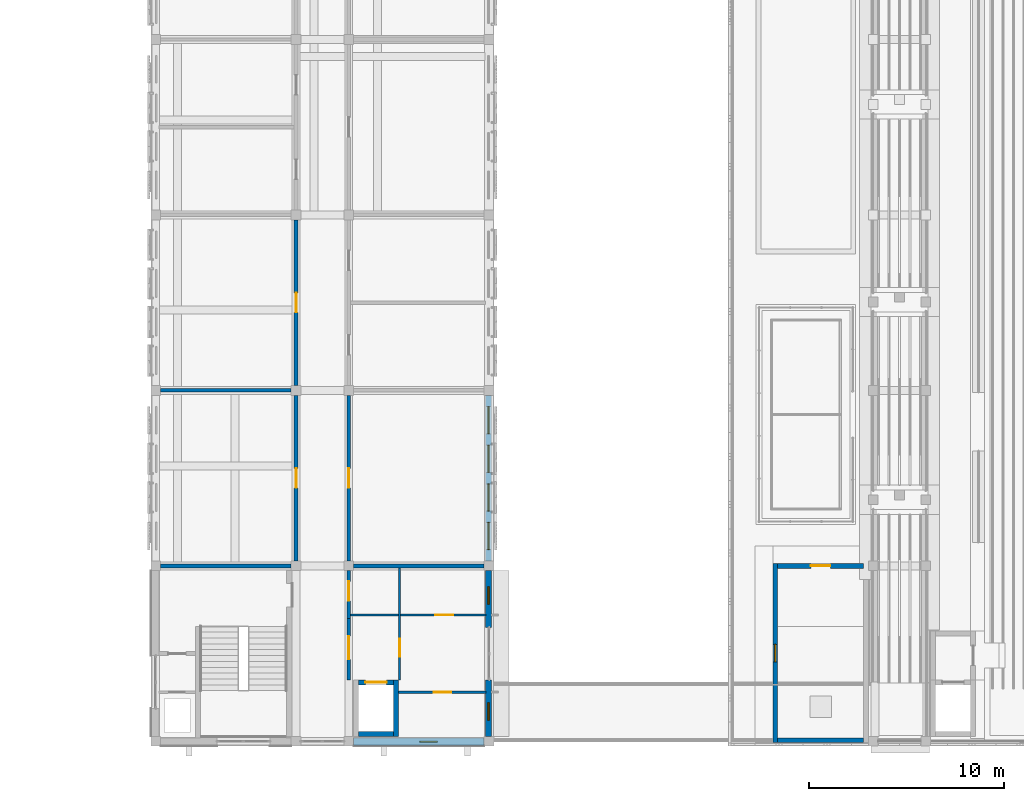
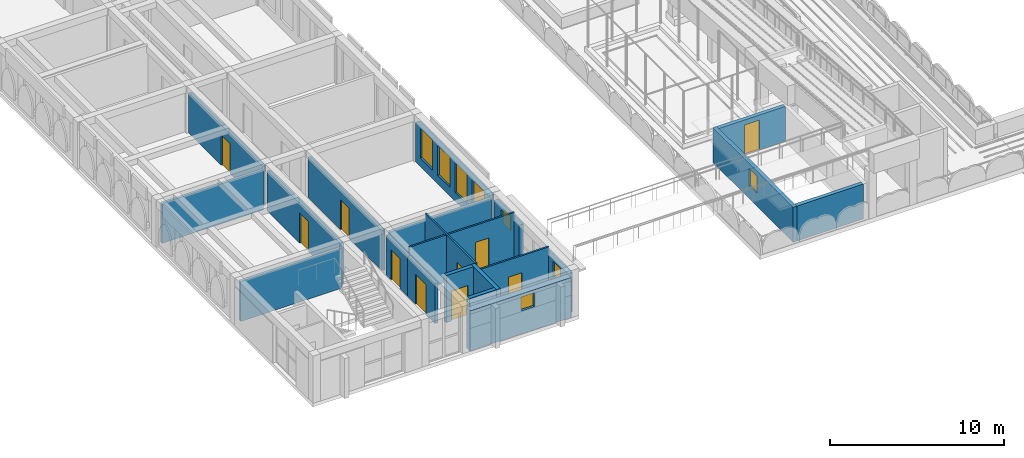
# One storey, part 30 of 50: 21 walls, 10 doors, 8 windows, 18 openings.
"""IFC4 building model written with IfcOpenShell, lengths in metres."""

from ifc_helpers import new_model, si_unit, direction, frame, frame_2d, origin, place, context, subcontext, project, spatial, rectangle, extrude, material, layer, layer_set, type_object, element, fill, save


model = new_model("IFC4")

# Units and contexts
model_context = context("Model", 3, precision=1e-05, world=origin(), true_north=direction((0.0, 1.0)))
body_context = subcontext(model_context, "Body", "Model", "MODEL_VIEW")
ifc_project = project(units=[si_unit("LENGTHUNIT", "METRE"), si_unit("AREAUNIT", "SQUARE_METRE"), si_unit("VOLUMEUNIT", "CUBIC_METRE"), si_unit("PLANEANGLEUNIT", "RADIAN"), si_unit("MASSUNIT", "GRAM", prefix="KILO")], contexts=[model_context])

# Site, building, storey
site_placement = place(None, origin())
site = spatial("IfcSite", under=ifc_project, at=site_placement, CompositionType="ELEMENT")
building_placement = place(site_placement, origin())
building = spatial("IfcBuilding", under=site, at=building_placement, Name="Elbe Cascade School", CompositionType="ELEMENT")
storey_placement = place(building_placement, frame((0.0, 0.0, 15.300048828125)))
storey = spatial("IfcBuildingStorey", under=building, at=storey_placement, Name="L04", CompositionType="ELEMENT", Elevation=15.300048828125)

# Wall
ifc_material_1 = material(Name="Masonry - lime-sand block, plastered", Category="masonry")
ifc_layer_1 = layer(ifc_material_1, 0.175048828125)
ifc_layer_set_1 = layer_set([ifc_layer_1], Name="Masonry - lime-sand block, plastered")
wall_type_1 = type_object("IfcWallType", Name="Bar classroom partition wall lime-sand block 175", PredefinedType="PARTITIONING", material=ifc_layer_set_1)
wall_1_placement = place(storey_placement, frame((69.25, 24.0, 0.0), z_axis=(0.0, 0.0, 1.0), x_axis=(1.0, 0.0, 0.0)))
element("IfcWall", 1, at=wall_1_placement, inside=storey, type_object=wall_type_1, Name="Bar classroom partition wall lime-sand block 175", PredefinedType="PARTITIONING", context=body_context, shape_type="SweptSolid", body=[
    extrude(rectangle(XDim=6.699951171875, YDim=0.175048828125, at=frame_2d((3.35009765625, 0.0))), origin(), (0.0, 0.0, 1.0), 2.800048828125),
])

# Wall, opening, door
ifc_material_2 = material(Name="Masonry - lime-sand block, plastered", Category="masonry")
ifc_layer_2 = layer(ifc_material_2, 0.199951171875)
ifc_layer_set_2 = layer_set([ifc_layer_2], Name="Masonry - lime-sand block, plastered")
wall_type_2 = type_object("IfcWallType", Name="Bar corridor wall lime-sand block 200 EI 30", PredefinedType="PARTITIONING", material=ifc_layer_set_2)
wall_2_placement = place(storey_placement, frame((78.89990234375, 12.300048828125, 0.0), z_axis=(0.0, 0.0, 1.0), x_axis=(0.0, -1.0, 0.0)))
wall_2 = element("IfcWall", 2, at=wall_2_placement, inside=storey, type_object=wall_type_2, Name="Bar corridor wall lime-sand block 200 EI 30", PredefinedType="PARTITIONING", context=body_context, shape_type="SweptSolid", body=[
    extrude(rectangle(XDim=3.150146484375, YDim=0.199951171875, at=frame_2d((1.5751953125, 0.0))), origin(), (0.0, 0.0, 1.0), 2.800048828125),
])
opening_1_placement = place(wall_2_placement, frame((0.89990234375, 0.0, 0.0)))
opening_1 = element("IfcOpeningElement", 3, at=opening_1_placement, cuts=wall_2, Name="Opening D4.005", PredefinedType="OPENING", context=body_context, shape_type="SweptSolid", body=[
    extrude(rectangle(XDim=1.199951171875, YDim=2.10009765625, at=frame_2d((0.60009765625, 1.050048828125))), frame((0.0, 0.10986328125, 0.0), z_axis=(0.0, -1.0, 0.0), x_axis=(1.0, 0.0, 0.0)), (0.0, 0.0, 1.0), 0.219970703125),
])
ifc_material_3 = material(Name="Timber door leaf, fire-resisting and smoke-tight, steel frame", Category="steel")
door_type_1 = type_object("IfcDoorType", Name="Bar door FD30S 1200x2100", OperationType="NOTDEFINED", PredefinedType="DOOR", material=ifc_material_3)
door_1_placement = place(opening_1_placement, origin())
door_1 = element("IfcDoor", 4, at=door_1_placement, inside=storey, type_object=door_type_1, Name="Door A4.06", OperationType="SINGLE_SWING_LEFT", OverallHeight=2.10009765625, OverallWidth=1.199951171875, PredefinedType="DOOR", context=body_context, shape_type="SweptSolid", body=[
    extrude(rectangle(XDim=1.199951171875, YDim=2.10009765625, at=frame_2d((0.60009765625, 1.050048828125))), frame((0.0, 0.02490234375, 0.0), z_axis=(0.0, -1.0, 0.0), x_axis=(1.0, 0.0, 0.0)), (0.0, 0.0, 1.0), 0.050048828125),
])
fill(opening_1, door_1)

wall_3_placement = place(storey_placement, frame((78.89990234375, 12.300048828125, 0.0), z_axis=(0.0, 0.0, 1.0), x_axis=(0.0, 1.0, 0.0)))
wall_3 = element("IfcWall", 5, at=wall_3_placement, inside=storey, type_object=wall_type_2, Name="Bar corridor wall lime-sand block 200 EI 30", PredefinedType="PARTITIONING", context=body_context, shape_type="SweptSolid", body=[
    extrude(rectangle(XDim=2.449951171875, YDim=0.199951171875, at=frame_2d((1.22509765625, 0.0))), origin(), (0.0, 0.0, 1.0), 2.800048828125),
])
opening_2_placement = place(wall_3_placement, frame((0.89990234375, 0.0, 0.0)))
opening_2 = element("IfcOpeningElement", 6, at=opening_2_placement, cuts=wall_3, Name="Opening D4.009", PredefinedType="OPENING", context=body_context, shape_type="SweptSolid", body=[
    extrude(rectangle(XDim=1.0, YDim=2.10009765625, at=frame_2d((0.5, 1.050048828125))), frame((0.0, 0.10986328125, 0.0), z_axis=(0.0, -1.0, 0.0), x_axis=(1.0, 0.0, 0.0)), (0.0, 0.0, 1.0), 0.219970703125),
])
ifc_material_4 = material(Name="Timber door leaf, fire-resisting, steel frame", Category="steel")
door_type_2 = type_object("IfcDoorType", Name="Bar door FD30 1000x2100", OperationType="NOTDEFINED", PredefinedType="DOOR", material=ifc_material_4)
door_2_placement = place(opening_2_placement, origin())
door_2 = element("IfcDoor", 7, at=door_2_placement, inside=storey, type_object=door_type_2, Name="Door A4.10", OperationType="SINGLE_SWING_RIGHT", OverallHeight=2.10009765625, OverallWidth=1.0, PredefinedType="DOOR", context=body_context, shape_type="SweptSolid", body=[
    extrude(rectangle(XDim=1.0, YDim=2.10009765625, at=frame_2d((0.5, 1.050048828125))), frame((0.0, 0.02490234375, 0.0), z_axis=(0.0, -1.0, 0.0), x_axis=(1.0, 0.0, 0.0)), (0.0, 0.0, 1.0), 0.050048828125),
])
fill(opening_2, door_2)

wall_4_placement = place(storey_placement, frame((76.199951171875, 15.25, 0.0), z_axis=(0.0, 0.0, 1.0), x_axis=(0.0, 1.0, 0.0)))
wall_4 = element("IfcWall", 8, at=wall_4_placement, inside=storey, type_object=wall_type_2, Name="Bar corridor wall lime-sand block 200 EI 30", PredefinedType="PARTITIONING", context=body_context, shape_type="SweptSolid", body=[
    extrude(rectangle(XDim=8.5, YDim=0.199951171875, at=frame_2d((4.25, 0.0))), origin(), (0.0, 0.0, 1.0), 2.800048828125),
])
opening_3_placement = place(wall_4_placement, frame((3.75, 0.0, 0.0)))
opening_3 = element("IfcOpeningElement", 9, at=opening_3_placement, cuts=wall_4, Name="Opening D4.010", PredefinedType="OPENING", context=body_context, shape_type="SweptSolid", body=[
    extrude(rectangle(XDim=1.0, YDim=2.10009765625, at=frame_2d((0.5, 1.050048828125))), frame((0.0, 0.10986328125, 0.0), z_axis=(0.0, -1.0, 0.0), x_axis=(1.0, 0.0, 0.0)), (0.0, 0.0, 1.0), 0.219970703125),
])
door_3_placement = place(opening_3_placement, origin())
door_3 = element("IfcDoor", 10, at=door_3_placement, inside=storey, type_object=door_type_2, Name="Door A4.20", OperationType="SINGLE_SWING_LEFT", OverallHeight=2.10009765625, OverallWidth=1.0, PredefinedType="DOOR", context=body_context, shape_type="SweptSolid", body=[
    extrude(rectangle(XDim=1.0, YDim=2.10009765625, at=frame_2d((0.5, 1.050048828125))), frame((0.0, 0.02490234375, 0.0), z_axis=(0.0, -1.0, 0.0), x_axis=(1.0, 0.0, 0.0)), (0.0, 0.0, 1.0), 0.050048828125),
])
fill(opening_3, door_3)

wall_5_placement = place(storey_placement, frame((76.199951171875, 24.25, 0.0), z_axis=(0.0, 0.0, 1.0), x_axis=(0.0, 1.0, 0.0)))
wall_5 = element("IfcWall", 11, at=wall_5_placement, inside=storey, type_object=wall_type_2, Name="Bar corridor wall lime-sand block 200 EI 30", PredefinedType="PARTITIONING", context=body_context, shape_type="SweptSolid", body=[
    extrude(rectangle(XDim=8.5, YDim=0.199951171875, at=frame_2d((4.25, 0.0))), origin(), (0.0, 0.0, 1.0), 2.800048828125),
])
opening_4_placement = place(wall_5_placement, frame((3.75, 0.0, 0.0)))
opening_4 = element("IfcOpeningElement", 12, at=opening_4_placement, cuts=wall_5, Name="Opening D4.013", PredefinedType="OPENING", context=body_context, shape_type="SweptSolid", body=[
    extrude(rectangle(XDim=1.0, YDim=2.10009765625, at=frame_2d((0.5, 1.050048828125))), frame((0.0, 0.10986328125, 0.0), z_axis=(0.0, -1.0, 0.0), x_axis=(1.0, 0.0, 0.0)), (0.0, 0.0, 1.0), 0.219970703125),
])
door_4_placement = place(opening_4_placement, origin())
door_4 = element("IfcDoor", 13, at=door_4_placement, inside=storey, type_object=door_type_2, Name="Door A4.21", OperationType="SINGLE_SWING_RIGHT", OverallHeight=2.10009765625, OverallWidth=1.0, PredefinedType="DOOR", context=body_context, shape_type="SweptSolid", body=[
    extrude(rectangle(XDim=1.0, YDim=2.10009765625, at=frame_2d((0.5, 1.050048828125))), frame((0.0, 0.02490234375, 0.0), z_axis=(0.0, -1.0, 0.0), x_axis=(1.0, 0.0, 0.0)), (0.0, 0.0, 1.0), 0.050048828125),
])
fill(opening_4, door_4)

wall_6_placement = place(storey_placement, frame((78.89990234375, 23.75, 0.0), z_axis=(0.0, 0.0, 1.0), x_axis=(0.0, -1.0, 0.0)))
wall_6 = element("IfcWall", 14, at=wall_6_placement, inside=storey, type_object=wall_type_2, Name="Bar corridor wall lime-sand block 200 EI 30", PredefinedType="PARTITIONING", context=body_context, shape_type="SweptSolid", body=[
    extrude(rectangle(XDim=8.5, YDim=0.199951171875, at=frame_2d((4.25, 0.0))), origin(), (0.0, 0.0, 1.0), 2.800048828125),
])
opening_5_placement = place(wall_6_placement, frame((3.75, 0.0, 0.0)))
opening_5 = element("IfcOpeningElement", 15, at=opening_5_placement, cuts=wall_6, Name="Opening D4.011", PredefinedType="OPENING", context=body_context, shape_type="SweptSolid", body=[
    extrude(rectangle(XDim=1.0, YDim=2.10009765625, at=frame_2d((0.5, 1.050048828125))), frame((0.0, 0.10986328125, 0.0), z_axis=(0.0, -1.0, 0.0), x_axis=(1.0, 0.0, 0.0)), (0.0, 0.0, 1.0), 0.219970703125),
])
door_5_placement = place(opening_5_placement, origin())
door_5 = element("IfcDoor", 16, at=door_5_placement, inside=storey, type_object=door_type_2, Name="Door A4.25", OperationType="SINGLE_SWING_RIGHT", OverallHeight=2.10009765625, OverallWidth=1.0, PredefinedType="DOOR", context=body_context, shape_type="SweptSolid", body=[
    extrude(rectangle(XDim=1.0, YDim=2.10009765625, at=frame_2d((0.5, 1.050048828125))), frame((0.0, 0.02490234375, 0.0), z_axis=(0.0, -1.0, 0.0), x_axis=(1.0, 0.0, 0.0)), (0.0, 0.0, 1.0), 0.050048828125),
])
fill(opening_5, door_5)

ifc_material_5 = material(Name="Masonry - lime-sand block, plastered", Category="masonry")
ifc_layer_3 = layer(ifc_material_5, 0.114990234375)
ifc_layer_set_3 = layer_set([ifc_layer_3], Name="Masonry - lime-sand block, plastered")
wall_type_3 = type_object("IfcWallType", Name="Bar light partition wall lime-sand block 115", PredefinedType="PARTITIONING", material=ifc_layer_set_3)
wall_7_placement = place(storey_placement, frame((81.507568359375, 14.89990234375, 0.0), z_axis=(0.0, 0.0, 1.0), x_axis=(0.0, -1.0, 0.0)))
wall_7 = element("IfcWall", 17, at=wall_7_placement, inside=storey, type_object=wall_type_3, Name="Bar light partition wall lime-sand block 115", PredefinedType="PARTITIONING", context=body_context, shape_type="SweptSolid", body=[
    extrude(rectangle(XDim=5.75, YDim=0.114990234375, at=frame_2d((2.875, 0.0))), origin(), (0.0, 0.0, 1.0), 3.300048828125),
])
opening_6_placement = place(wall_7_placement, frame((3.64990234375, 0.0, 0.0)))
opening_6 = element("IfcOpeningElement", 18, at=opening_6_placement, cuts=wall_7, Name="Opening D4.006", PredefinedType="OPENING", context=body_context, shape_type="SweptSolid", body=[
    extrude(rectangle(XDim=0.89990234375, YDim=2.10009765625, at=frame_2d((0.449951171875, 1.050048828125))), frame((0.0, 0.0673828125, 0.0), z_axis=(0.0, -1.0, 0.0), x_axis=(1.0, 0.0, 0.0)), (0.0, 0.0, 1.0), 0.135009765625),
])
ifc_material_6 = material(Name="Timber door leaf, steel frame", Category="steel")
door_type_3 = type_object("IfcDoorType", Name="Bar door 900x2100", OperationType="NOTDEFINED", PredefinedType="DOOR", material=ifc_material_6)
door_6_placement = place(opening_6_placement, origin())
door_6 = element("IfcDoor", 19, at=door_6_placement, inside=storey, type_object=door_type_3, Name="Door A4.07", OperationType="SINGLE_SWING_LEFT", OverallHeight=2.10009765625, OverallWidth=0.89990234375, PredefinedType="DOOR", context=body_context, shape_type="SweptSolid", body=[
    extrude(rectangle(XDim=0.89990234375, YDim=2.10009765625, at=frame_2d((0.449951171875, 1.050048828125))), frame((0.0, 0.02490234375, 0.0), z_axis=(0.0, -1.0, 0.0), x_axis=(1.0, 0.0, 0.0)), (0.0, 0.0, 1.0), 0.050048828125),
])
fill(opening_6, door_6)

wall_8_placement = place(storey_placement, frame((85.949951171875, 8.52001953125, 0.0), z_axis=(0.0, 0.0, 1.0), x_axis=(-1.0, 0.0, 0.0)))
wall_8 = element("IfcWall", 20, at=wall_8_placement, inside=storey, type_object=wall_type_3, Name="Bar light partition wall lime-sand block 115", PredefinedType="PARTITIONING", context=body_context, shape_type="SweptSolid", body=[
    extrude(rectangle(XDim=4.5, YDim=0.114990234375, at=frame_2d((2.25, 0.0))), origin(), (0.0, 0.0, 1.0), 3.300048828125),
])
opening_7_placement = place(wall_8_placement, frame((1.800048828125, 0.0, 0.0)))
opening_7 = element("IfcOpeningElement", 21, at=opening_7_placement, cuts=wall_8, Name="Opening D4.002", PredefinedType="OPENING", context=body_context, shape_type="SweptSolid", body=[
    extrude(rectangle(XDim=0.89990234375, YDim=2.10009765625, at=frame_2d((0.449951171875, 1.050048828125))), frame((0.0, 0.0673828125, 0.0), z_axis=(0.0, -1.0, 0.0), x_axis=(1.0, 0.0, 0.0)), (0.0, 0.0, 1.0), 0.135009765625),
])
door_7_placement = place(opening_7_placement, origin())
door_7 = element("IfcDoor", 22, at=door_7_placement, inside=storey, type_object=door_type_3, Name="Door A4.08", OperationType="SINGLE_SWING_LEFT", OverallHeight=2.10009765625, OverallWidth=0.89990234375, PredefinedType="DOOR", context=body_context, shape_type="SweptSolid", body=[
    extrude(rectangle(XDim=0.89990234375, YDim=2.10009765625, at=frame_2d((0.449951171875, 1.050048828125))), frame((0.0, 0.02490234375, 0.0), z_axis=(0.0, -1.0, 0.0), x_axis=(1.0, 0.0, 0.0)), (0.0, 0.0, 1.0), 0.050048828125),
])
fill(opening_7, door_7)

wall_9_placement = place(storey_placement, frame((79.0, 12.47998046875, 0.0), z_axis=(0.0, 0.0, 1.0), x_axis=(1.0, 0.0, 0.0)))
wall_9 = element("IfcWall", 23, at=wall_9_placement, inside=storey, type_object=wall_type_3, Name="Bar light partition wall lime-sand block 115", PredefinedType="PARTITIONING", context=body_context, shape_type="SweptSolid", body=[
    extrude(rectangle(XDim=6.949951171875, YDim=0.114990234375, at=frame_2d((3.47509765625, 0.0))), origin(), (0.0, 0.0, 1.0), 3.300048828125),
])
opening_8_placement = place(wall_9_placement, frame((4.35009765625, 0.0, 0.0)))
opening_8 = element("IfcOpeningElement", 24, at=opening_8_placement, cuts=wall_9, Name="Opening D4.007", PredefinedType="OPENING", context=body_context, shape_type="SweptSolid", body=[
    extrude(rectangle(XDim=0.89990234375, YDim=2.10009765625, at=frame_2d((0.449951171875, 1.050048828125))), frame((0.0, 0.0673828125, 0.0), z_axis=(0.0, -1.0, 0.0), x_axis=(1.0, 0.0, 0.0)), (0.0, 0.0, 1.0), 0.135009765625),
])
door_8_placement = place(opening_8_placement, origin())
door_8 = element("IfcDoor", 25, at=door_8_placement, inside=storey, type_object=door_type_3, Name="Door A4.09", OperationType="SINGLE_SWING_RIGHT", OverallHeight=2.10009765625, OverallWidth=0.89990234375, PredefinedType="DOOR", context=body_context, shape_type="SweptSolid", body=[
    extrude(rectangle(XDim=0.89990234375, YDim=2.10009765625, at=frame_2d((0.449951171875, 1.050048828125))), frame((0.0, 0.02490234375, 0.0), z_axis=(0.0, -1.0, 0.0), x_axis=(1.0, 0.0, 0.0)), (0.0, 0.0, 1.0), 0.050048828125),
])
fill(opening_8, door_8)

# Walls
ifc_material_7 = material(Name="Masonry - lime-sand block, plastered", Category="masonry")
ifc_layer_4 = layer(ifc_material_7, 0.199951171875)
ifc_layer_set_4 = layer_set([ifc_layer_4], Name="Masonry - lime-sand block, plastered")
wall_type_4 = type_object("IfcWallType", Name="Bar partition wall lime-sand block 200", PredefinedType="PARTITIONING", material=ifc_layer_set_4)
wall_10_placement = place(storey_placement, frame((79.14990234375, 15.0, 0.0), z_axis=(0.0, 0.0, 1.0), x_axis=(1.0, 0.0, 0.0)))
element("IfcWall", 26, at=wall_10_placement, inside=storey, type_object=wall_type_4, Name="Bar partition wall lime-sand block 200", PredefinedType="PARTITIONING", context=body_context, shape_type="SweptSolid", body=[
    extrude(rectangle(XDim=6.7001953125, YDim=0.199951171875, at=frame_2d((3.35009765625, 0.0))), origin(), (0.0, 0.0, 1.0), 2.800048828125),
])
ifc_material_8 = material(Name="Concrete C30/37", Category="concrete")
ifc_layer_5 = layer(ifc_material_8, 0.199951171875)
ifc_layer_set_5 = layer_set([ifc_layer_5], Name="Concrete C30/37")
wall_type_5 = type_object("IfcWallType", Name="Bar stair lobby wall RC 200", PredefinedType="SOLIDWALL", material=ifc_layer_set_5)
wall_11_placement = place(storey_placement, frame((69.25, 15.0, 0.0), z_axis=(0.0, 0.0, 1.0), x_axis=(1.0, 0.0, 0.0)))
element("IfcWall", 27, at=wall_11_placement, inside=storey, type_object=wall_type_5, Name="Bar stair lobby wall RC 200", PredefinedType="SOLIDWALL", context=body_context, shape_type="SweptSolid", body=[
    extrude(rectangle(XDim=6.699951171875, YDim=0.199951171875, at=frame_2d((3.35009765625, 0.0))), origin(), (0.0, 0.0, 1.0), 2.800048828125),
])

# Wall, opening, window
ifc_material_9 = material(Name="Brick masonry - red clinker, cavity wall with render backing", Category="masonry")
ifc_layer_6 = layer(ifc_material_9, 0.300048828125)
ifc_layer_set_6 = layer_set([ifc_layer_6], Name="Brick masonry - red clinker, cavity wall with render backing")
wall_type_6 = type_object("IfcWallType", Name="Bars envelope External wall - clinker brick cavity, 300 upper floors", PredefinedType="STANDARD", material=ifc_layer_set_6)
wall_12_placement = place(storey_placement, frame((86.070068359375, 9.14990234375, 0.0), z_axis=(0.0, 0.0, 1.0), x_axis=(0.0, -1.0, 0.0)))
wall_12 = element("IfcWall", 28, at=wall_12_placement, inside=storey, type_object=wall_type_6, Name="External wall W30 A.L04.e1a", PredefinedType="STANDARD", context=body_context, shape_type="SweptSolid", body=[
    extrude(rectangle(XDim=2.89990234375, YDim=0.300048828125, at=frame_2d((1.449951171875, 0.0))), origin(), (0.0, 0.0, 1.0), 2.75),
])
opening_9_placement = place(wall_12_placement, frame((1.169921875, 0.0, 1.60009765625)))
opening_9 = element("IfcOpeningElement", 29, at=opening_9_placement, cuts=wall_12, Name="Opening W4.002", PredefinedType="OPENING", context=body_context, shape_type="SweptSolid", body=[
    extrude(rectangle(XDim=0.89990234375, YDim=1.0, at=frame_2d((0.449951171875, 0.5))), frame((0.0, 0.159912109375, 0.0), z_axis=(0.0, -1.0, 0.0), x_axis=(1.0, 0.0, 0.0)), (0.0, 0.0, 1.0), 0.320068359375),
])
ifc_material_10 = material(Name="Aluminium frame with double glazing, bronze anodised", Category="aluminium")
window_type_1 = type_object("IfcWindowType", Name="Bars envelope Window 900 x 1000, WC and service room, high level, aluminium double glazed", PartitioningType="SINGLE_PANEL", PredefinedType="WINDOW", material=ifc_material_10)
window_1_placement = place(opening_9_placement, origin())
window_1 = element("IfcWindow", 30, at=window_1_placement, inside=storey, type_object=window_type_1, Name="Window WN4 A.L04.e1a.1", OverallHeight=1.0, OverallWidth=0.89990234375, PartitioningType="SINGLE_PANEL", PredefinedType="WINDOW", context=body_context, shape_type="SweptSolid", body=[
    extrude(rectangle(XDim=0.89990234375, YDim=1.0, at=frame_2d((0.449951171875, 0.5))), frame((0.0, 0.030029296875, 0.0), z_axis=(0.0, -1.0, 0.0), x_axis=(1.0, 0.0, 0.0)), (0.0, 0.0, 1.0), 0.06005859375),
])
fill(opening_9, window_1)

wall_13_placement = place(storey_placement, frame((86.070068359375, 14.75, 0.0), z_axis=(0.0, 0.0, 1.0), x_axis=(0.0, -1.0, 0.0)))
wall_13 = element("IfcWall", 31, at=wall_13_placement, inside=storey, type_object=wall_type_6, Name="External wall W30 A.L04.e1b", PredefinedType="STANDARD", context=body_context, shape_type="SweptSolid", body=[
    extrude(rectangle(XDim=2.89990234375, YDim=0.300048828125, at=frame_2d((1.449951171875, 0.0))), origin(), (0.0, 0.0, 1.0), 2.75),
])
opening_10_placement = place(wall_13_placement, frame((0.830078125, 0.0, 1.60009765625)))
opening_10 = element("IfcOpeningElement", 32, at=opening_10_placement, cuts=wall_13, Name="Opening W4.003", PredefinedType="OPENING", context=body_context, shape_type="SweptSolid", body=[
    extrude(rectangle(XDim=0.89990234375, YDim=1.0, at=frame_2d((0.449951171875, 0.5))), frame((0.0, 0.159912109375, 0.0), z_axis=(0.0, -1.0, 0.0), x_axis=(1.0, 0.0, 0.0)), (0.0, 0.0, 1.0), 0.320068359375),
])
window_2_placement = place(opening_10_placement, origin())
window_2 = element("IfcWindow", 33, at=window_2_placement, inside=storey, type_object=window_type_1, Name="Window WN4 A.L04.e1b.1", OverallHeight=1.0, OverallWidth=0.89990234375, PartitioningType="SINGLE_PANEL", PredefinedType="WINDOW", context=body_context, shape_type="SweptSolid", body=[
    extrude(rectangle(XDim=0.89990234375, YDim=1.0, at=frame_2d((0.449951171875, 0.5))), frame((0.0, 0.030029296875, 0.0), z_axis=(0.0, -1.0, 0.0), x_axis=(1.0, 0.0, 0.0)), (0.0, 0.0, 1.0), 0.06005859375),
])
fill(opening_10, window_2)

# Wall, openings, windows
wall_14_placement = place(storey_placement, frame((86.070068359375, 23.75, 0.0), z_axis=(0.0, 0.0, 1.0), x_axis=(0.0, -1.0, 0.0)))
wall_14 = element("IfcWall", 34, at=wall_14_placement, inside=storey, type_object=wall_type_6, Name="External wall W30 A.L04.e2", PredefinedType="STANDARD", context=body_context, shape_type="SweptSolid", body=[
    extrude(rectangle(XDim=8.5, YDim=0.300048828125, at=frame_2d((4.25, 0.0))), origin(), (0.0, 0.0, 1.0), 2.75),
])
opening_11_placement = place(wall_14_placement, frame((6.52001953125, 0.0, 0.60009765625)))
opening_11 = element("IfcOpeningElement", 35, at=opening_11_placement, cuts=wall_14, Name="Opening W4.005", PredefinedType="OPENING", context=body_context, shape_type="SweptSolid", body=[
    extrude(rectangle(XDim=1.39990234375, YDim=2.10009765625, at=frame_2d((0.699951171875, 1.050048828125))), frame((0.0, 0.159912109375, 0.0), z_axis=(0.0, -1.0, 0.0), x_axis=(1.0, 0.0, 0.0)), (0.0, 0.0, 1.0), 0.320068359375),
])
opening_12_placement = place(wall_14_placement, frame((4.5400390625, 0.0, 0.60009765625)))
opening_12 = element("IfcOpeningElement", 36, at=opening_12_placement, cuts=wall_14, Name="Opening W4.007", PredefinedType="OPENING", context=body_context, shape_type="SweptSolid", body=[
    extrude(rectangle(XDim=1.39990234375, YDim=2.10009765625, at=frame_2d((0.699951171875, 1.050048828125))), frame((0.0, 0.159912109375, 0.0), z_axis=(0.0, -1.0, 0.0), x_axis=(1.0, 0.0, 0.0)), (0.0, 0.0, 1.0), 0.320068359375),
])
opening_13_placement = place(wall_14_placement, frame((2.56005859375, 0.0, 0.60009765625)))
opening_13 = element("IfcOpeningElement", 37, at=opening_13_placement, cuts=wall_14, Name="Opening W4.009", PredefinedType="OPENING", context=body_context, shape_type="SweptSolid", body=[
    extrude(rectangle(XDim=1.39990234375, YDim=2.10009765625, at=frame_2d((0.699951171875, 1.050048828125))), frame((0.0, 0.159912109375, 0.0), z_axis=(0.0, -1.0, 0.0), x_axis=(1.0, 0.0, 0.0)), (0.0, 0.0, 1.0), 0.320068359375),
])
opening_14_placement = place(wall_14_placement, frame((0.580078125, 0.0, 0.60009765625)))
opening_14 = element("IfcOpeningElement", 38, at=opening_14_placement, cuts=wall_14, Name="Opening W4.011", PredefinedType="OPENING", context=body_context, shape_type="SweptSolid", body=[
    extrude(rectangle(XDim=1.39990234375, YDim=2.10009765625, at=frame_2d((0.699951171875, 1.050048828125))), frame((0.0, 0.159912109375, 0.0), z_axis=(0.0, -1.0, 0.0), x_axis=(1.0, 0.0, 0.0)), (0.0, 0.0, 1.0), 0.320068359375),
])
ifc_material_11 = material(Name="Aluminium frame with double glazing, bronze anodised", Category="aluminium")
window_type_2 = type_object("IfcWindowType", Name="Bars envelope Window 1400 x 2100, classroom, aluminium double glazed", PartitioningType="DOUBLE_PANEL_VERTICAL", PredefinedType="WINDOW", material=ifc_material_11)
window_3_placement = place(opening_11_placement, origin())
window_3 = element("IfcWindow", 39, at=window_3_placement, inside=storey, type_object=window_type_2, Name="Window WN8 A.L04.e2.1", OverallHeight=2.10009765625, OverallWidth=1.39990234375, PartitioningType="DOUBLE_PANEL_VERTICAL", PredefinedType="WINDOW", context=body_context, shape_type="SweptSolid", body=[
    extrude(rectangle(XDim=1.39990234375, YDim=2.10009765625, at=frame_2d((0.699951171875, 1.050048828125))), frame((0.0, 0.030029296875, 0.0), z_axis=(0.0, -1.0, 0.0), x_axis=(1.0, 0.0, 0.0)), (0.0, 0.0, 1.0), 0.06005859375),
])
fill(opening_11, window_3)
window_4_placement = place(opening_12_placement, origin())
window_4 = element("IfcWindow", 40, at=window_4_placement, inside=storey, type_object=window_type_2, Name="Window WN8 A.L04.e2.2", OverallHeight=2.10009765625, OverallWidth=1.39990234375, PartitioningType="DOUBLE_PANEL_VERTICAL", PredefinedType="WINDOW", context=body_context, shape_type="SweptSolid", body=[
    extrude(rectangle(XDim=1.39990234375, YDim=2.10009765625, at=frame_2d((0.699951171875, 1.050048828125))), frame((0.0, 0.030029296875, 0.0), z_axis=(0.0, -1.0, 0.0), x_axis=(1.0, 0.0, 0.0)), (0.0, 0.0, 1.0), 0.06005859375),
])
fill(opening_12, window_4)
window_5_placement = place(opening_13_placement, origin())
window_5 = element("IfcWindow", 41, at=window_5_placement, inside=storey, type_object=window_type_2, Name="Window WN8 A.L04.e2.3", OverallHeight=2.10009765625, OverallWidth=1.39990234375, PartitioningType="DOUBLE_PANEL_VERTICAL", PredefinedType="WINDOW", context=body_context, shape_type="SweptSolid", body=[
    extrude(rectangle(XDim=1.39990234375, YDim=2.10009765625, at=frame_2d((0.699951171875, 1.050048828125))), frame((0.0, 0.030029296875, 0.0), z_axis=(0.0, -1.0, 0.0), x_axis=(1.0, 0.0, 0.0)), (0.0, 0.0, 1.0), 0.06005859375),
])
fill(opening_13, window_5)
window_6_placement = place(opening_14_placement, origin())
window_6 = element("IfcWindow", 42, at=window_6_placement, inside=storey, type_object=window_type_2, Name="Window WN8 A.L04.e2.4", OverallHeight=2.10009765625, OverallWidth=1.39990234375, PartitioningType="DOUBLE_PANEL_VERTICAL", PredefinedType="WINDOW", context=body_context, shape_type="SweptSolid", body=[
    extrude(rectangle(XDim=1.39990234375, YDim=2.10009765625, at=frame_2d((0.699951171875, 1.050048828125))), frame((0.0, 0.030029296875, 0.0), z_axis=(0.0, -1.0, 0.0), x_axis=(1.0, 0.0, 0.0)), (0.0, 0.0, 1.0), 0.06005859375),
])
fill(opening_14, window_6)

# Wall, opening, window
ifc_material_12 = material(Name="Brick masonry - red clinker, solid, sandstone-faced", Category="masonry")
ifc_layer_7 = layer(ifc_material_12, 0.39990234375)
ifc_layer_set_7 = layer_set([ifc_layer_7], Name="Brick masonry - red clinker, solid, sandstone-faced")
wall_type_7 = type_object("IfcWallType", Name="Bars envelope External wall - solid masonry core strip, sandstone faced, 400", PredefinedType="STANDARD", material=ifc_layer_set_7)
wall_15_placement = place(storey_placement, frame((85.85009765625, 5.97998046875, 0.0), z_axis=(0.0, 0.0, 1.0), x_axis=(-1.0, 0.0, 0.0)))
wall_15 = element("IfcWall", 43, at=wall_15_placement, inside=storey, type_object=wall_type_7, Name="External wall W31 A.L04.s3", PredefinedType="STANDARD", context=body_context, shape_type="SweptSolid", body=[
    extrude(rectangle(XDim=6.7001953125, YDim=0.39990234375, at=frame_2d((3.35009765625, 0.0))), origin(), (0.0, 0.0, 1.0), 2.800048828125),
])
opening_15_placement = place(wall_15_placement, frame((2.39990234375, 0.0, 1.60009765625)))
opening_15 = element("IfcOpeningElement", 44, at=opening_15_placement, cuts=wall_15, Name="Opening W4.001", PredefinedType="OPENING", context=body_context, shape_type="SweptSolid", body=[
    extrude(rectangle(XDim=0.89990234375, YDim=1.0, at=frame_2d((0.449951171875, 0.5))), frame((0.0, 0.2099609375, 0.0), z_axis=(0.0, -1.0, 0.0), x_axis=(1.0, 0.0, 0.0)), (0.0, 0.0, 1.0), 0.419921875),
])
window_7_placement = place(opening_15_placement, origin())
window_7 = element("IfcWindow", 45, at=window_7_placement, inside=storey, type_object=window_type_1, Name="Window WN4 A.L04.s3.1", OverallHeight=1.0, OverallWidth=0.89990234375, PartitioningType="SINGLE_PANEL", PredefinedType="WINDOW", context=body_context, shape_type="SweptSolid", body=[
    extrude(rectangle(XDim=0.89990234375, YDim=1.0, at=frame_2d((0.449951171875, 0.5))), frame((0.0, 0.030029296875, 0.0), z_axis=(0.0, -1.0, 0.0), x_axis=(1.0, 0.0, 0.0)), (0.0, 0.0, 1.0), 0.06005859375),
])
fill(opening_15, window_7)

ifc_material_13 = material(Name="Concrete C30/37", Category="concrete")
ifc_layer_8 = layer(ifc_material_13, 0.25)
ifc_layer_set_8 = layer_set([ifc_layer_8], Name="Concrete C30/37")
wall_type_8 = type_object("IfcWallType", Name="Head-house wall 250", PredefinedType="SOLIDWALL", material=ifc_layer_set_8)
wall_16_placement = place(storey_placement, frame((100.77490234375, 5.929931640625, 0.0), z_axis=(0.0, 0.0, 1.0), x_axis=(0.0, 1.0, 0.0)))
wall_16 = element("IfcWall", 46, at=wall_16_placement, inside=storey, type_object=wall_type_8, Name="Head-house wall 250 W2", PredefinedType="SOLIDWALL", context=body_context, shape_type="SweptSolid", body=[
    extrude(rectangle(XDim=9.195068359375, YDim=0.25, at=frame_2d((4.59765625, 0.0))), origin(), (0.0, 0.0, 1.0), 2.449951171875),
])
opening_16_placement = place(wall_16_placement, frame((4.1474609375, 0.0, 0.89990234375)))
opening_16 = element("IfcOpeningElement", 47, at=opening_16_placement, cuts=wall_16, Name="Opening W4.041", PredefinedType="OPENING", context=body_context, shape_type="SweptSolid", body=[
    extrude(rectangle(XDim=0.89990234375, YDim=1.199951171875, at=frame_2d((0.449951171875, 0.60009765625))), frame((0.0, 0.135009765625, 0.0), z_axis=(0.0, -1.0, 0.0), x_axis=(1.0, 0.0, 0.0)), (0.0, 0.0, 1.0), 0.27001953125),
])
ifc_material_14 = material(Name="Aluminium frame with double glazing, bronze anodised", Category="aluminium")
window_type_3 = type_object("IfcWindowType", Name="Bars envelope Head-house window 900 x 1200, stair daylight, aluminium double glazed", PartitioningType="SINGLE_PANEL", PredefinedType="WINDOW", material=ifc_material_14)
window_8_placement = place(opening_16_placement, origin())
window_8 = element("IfcWindow", 48, at=window_8_placement, inside=storey, type_object=window_type_3, Name="Window WN10 B.L04.head-house south", OverallHeight=1.199951171875, OverallWidth=0.89990234375, PartitioningType="SINGLE_PANEL", PredefinedType="WINDOW", context=body_context, shape_type="SweptSolid", body=[
    extrude(rectangle(XDim=0.89990234375, YDim=1.199951171875, at=frame_2d((0.449951171875, 0.60009765625))), frame((0.0, 0.030029296875, 0.0), z_axis=(0.0, -1.0, 0.0), x_axis=(1.0, 0.0, 0.0)), (0.0, 0.0, 1.0), 0.06005859375),
])
fill(opening_16, window_8)

# Wall
wall_17_placement = place(storey_placement, frame((100.89990234375, 6.054931640625, 0.0), z_axis=(0.0, 0.0, 1.0), x_axis=(1.0, 0.0, 0.0)))
element("IfcWall", 49, at=wall_17_placement, inside=storey, type_object=wall_type_8, Name="Head-house wall 250 W2", PredefinedType="SOLIDWALL", context=body_context, shape_type="SweptSolid", body=[
    extrude(rectangle(XDim=4.400146484375, YDim=0.25, at=frame_2d((2.2001953125, 0.0))), origin(), (0.0, 0.0, 1.0), 2.449951171875),
])

# Wall, opening, door
wall_18_placement = place(storey_placement, frame((100.89990234375, 15.0, 0.0), z_axis=(0.0, 0.0, 1.0), x_axis=(1.0, 0.0, 0.0)))
wall_18 = element("IfcWall", 50, at=wall_18_placement, inside=storey, type_object=wall_type_8, Name="Head-house wall 250 W2", PredefinedType="SOLIDWALL", context=body_context, shape_type="SweptSolid", body=[
    extrude(rectangle(XDim=4.400146484375, YDim=0.25, at=frame_2d((2.2001953125, 0.0))), origin(), (0.0, 0.0, 1.0), 2.449951171875),
])
opening_17_placement = place(wall_18_placement, frame((1.699951171875, 0.0, 0.0)))
opening_17 = element("IfcOpeningElement", 51, at=opening_17_placement, cuts=wall_18, Name="Opening D4.031", PredefinedType="OPENING", context=body_context, shape_type="SweptSolid", body=[
    extrude(rectangle(XDim=1.0, YDim=2.10009765625, at=frame_2d((0.5, 1.050048828125))), frame((0.0, 0.135009765625, 0.0), z_axis=(0.0, -1.0, 0.0), x_axis=(1.0, 0.0, 0.0)), (0.0, 0.0, 1.0), 0.27001953125),
])
ifc_material_15 = material(Name="Head-house door 1000x2100")
door_type_4 = type_object("IfcDoorType", Name="Head-house door 1000x2100", OperationType="SINGLE_SWING_RIGHT", PredefinedType="DOOR", material=ifc_material_15)
door_9_placement = place(opening_17_placement, origin())
door_9 = element("IfcDoor", 52, at=door_9_placement, inside=storey, type_object=door_type_4, Name="Head-house door 1000x2100 D4.031", OperationType="SINGLE_SWING_RIGHT", OverallHeight=2.10009765625, OverallWidth=1.0, PredefinedType="DOOR", context=body_context, shape_type="SweptSolid", body=[
    extrude(rectangle(XDim=1.0, YDim=2.10009765625, at=frame_2d((0.5, 1.050048828125))), frame((0.0, 0.02490234375, 0.0), z_axis=(0.0, -1.0, 0.0), x_axis=(1.0, 0.0, 0.0)), (0.0, 0.0, 1.0), 0.050048828125),
])
fill(opening_17, door_9)

# Walls
ifc_material_16 = material(Name="Concrete C30/37", Category="concrete")
ifc_layer_9 = layer(ifc_material_16, 0.25)
ifc_layer_set_9 = layer_set([ifc_layer_9], Name="Concrete C30/37")
wall_type_9 = type_object("IfcWallType", Name="Shaft wall 250", PredefinedType="SHEAR", material=ifc_layer_set_9)
wall_19_placement = place(storey_placement, frame((81.324951171875, 6.25, 0.0), z_axis=(0.0, 0.0, 1.0), x_axis=(0.0, 1.0, 0.0)))
element("IfcWall", 53, at=wall_19_placement, inside=storey, type_object=wall_type_9, Name="Shaft wall 250 W1", PredefinedType="SHEAR", context=body_context, shape_type="SweptSolid", body=[
    extrude(rectangle(XDim=2.89990234375, YDim=0.25, at=frame_2d((1.449951171875, 0.0))), origin(), (0.0, 0.0, 1.0), 3.300048828125),
])
wall_20_placement = place(storey_placement, frame((79.39990234375, 6.375, 0.0), z_axis=(0.0, 0.0, 1.0), x_axis=(1.0, 0.0, 0.0)))
element("IfcWall", 54, at=wall_20_placement, inside=storey, type_object=wall_type_9, Name="Shaft wall 250 W1", PredefinedType="SHEAR", context=body_context, shape_type="SweptSolid", body=[
    extrude(rectangle(XDim=1.800048828125, YDim=0.25, at=frame_2d((0.89990234375, 0.0))), origin(), (0.0, 0.0, 1.0), 3.300048828125),
])

# Wall, opening, door
wall_21_placement = place(storey_placement, frame((79.39990234375, 9.02490234375, 0.0), z_axis=(0.0, 0.0, 1.0), x_axis=(1.0, 0.0, 0.0)))
wall_21 = element("IfcWall", 55, at=wall_21_placement, inside=storey, type_object=wall_type_9, Name="Shaft wall 250 W1", PredefinedType="SHEAR", context=body_context, shape_type="SweptSolid", body=[
    extrude(rectangle(XDim=1.800048828125, YDim=0.25, at=frame_2d((0.89990234375, 0.0))), origin(), (0.0, 0.0, 1.0), 3.300048828125),
])
opening_18_placement = place(wall_21_placement, frame((0.35009765625, 0.0, 0.0)))
opening_18 = element("IfcOpeningElement", 56, at=opening_18_placement, cuts=wall_21, Name="Opening D4.003", PredefinedType="OPENING", context=body_context, shape_type="SweptSolid", body=[
    extrude(rectangle(XDim=1.10009765625, YDim=2.10009765625, at=frame_2d((0.550048828125, 1.050048828125))), frame((0.0, 0.135009765625, 0.0), z_axis=(0.0, -1.0, 0.0), x_axis=(1.0, 0.0, 0.0)), (0.0, 0.0, 1.0), 0.27001953125),
])
ifc_material_17 = material(Name="Stainless steel sliding door leaf", Category="steel")
door_type_5 = type_object("IfcDoorType", Name="Bar lift landing door 1100x2100", OperationType="SLIDING_TO_LEFT", PredefinedType="DOOR", material=ifc_material_17)
door_10_placement = place(opening_18_placement, origin())
door_10 = element("IfcDoor", 57, at=door_10_placement, inside=storey, type_object=door_type_5, Name="Lift landing door LDA4.1", OperationType="SLIDING_TO_LEFT", OverallHeight=2.10009765625, OverallWidth=1.10009765625, PredefinedType="DOOR", context=body_context, shape_type="SweptSolid", body=[
    extrude(rectangle(XDim=1.10009765625, YDim=2.10009765625, at=frame_2d((0.550048828125, 1.050048828125))), frame((0.0, 0.02490234375, 0.0), z_axis=(0.0, -1.0, 0.0), x_axis=(1.0, 0.0, 0.0)), (0.0, 0.0, 1.0), 0.050048828125),
])
fill(opening_18, door_10)

save(model, "model.ifc")
